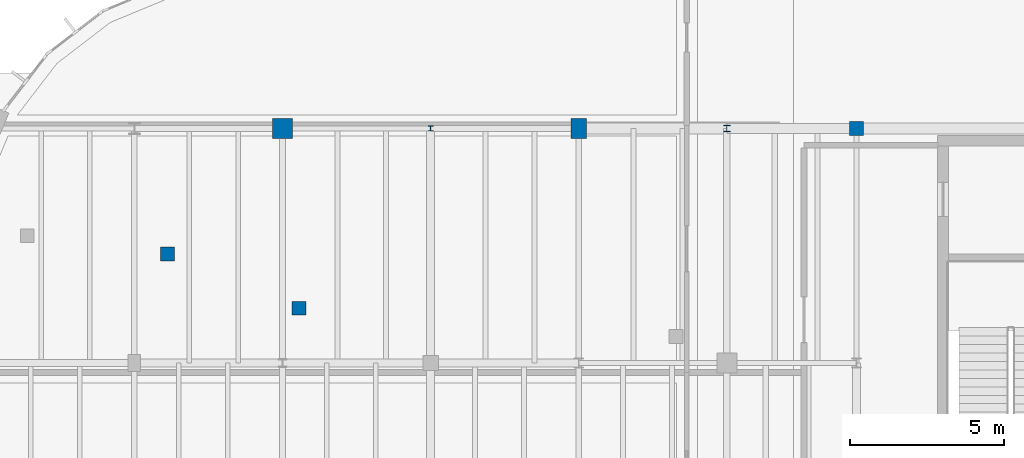
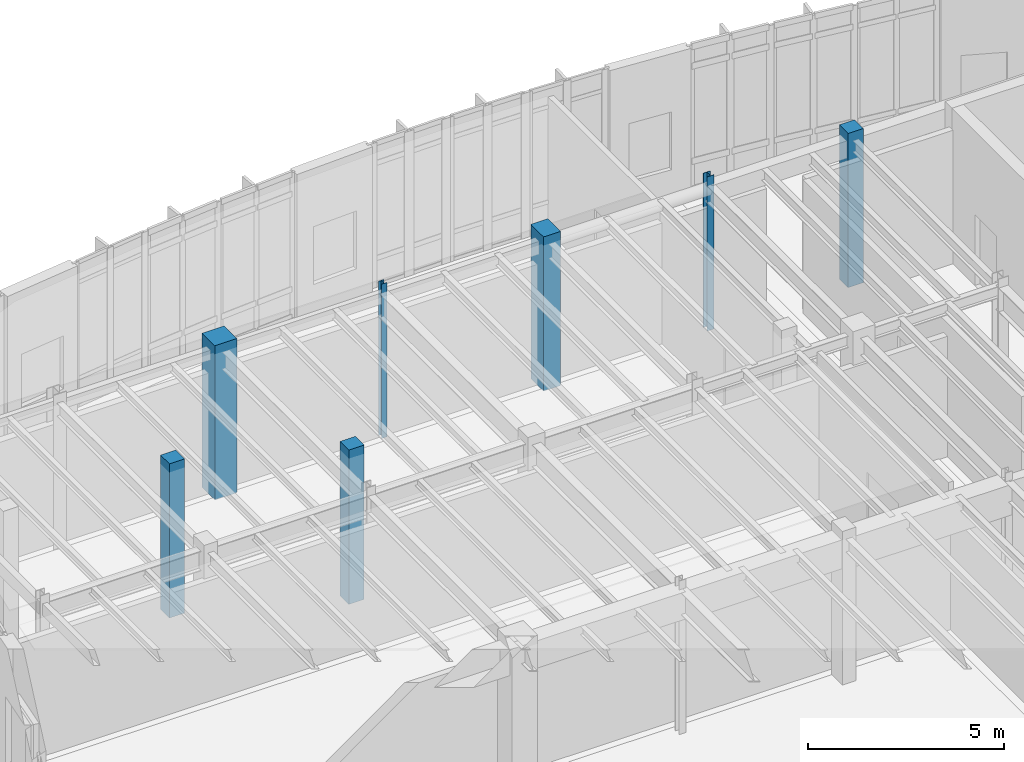
# One storey, part 19 of 120: 7 columns.
"""IFC4 building model written with IfcOpenShell, lengths in metres."""

from ifc_helpers import new_model, si_unit, direction, frame, origin, origin_2d, place, context, subcontext, project, spatial, rectangle, i_section, extrude, material, material_profile, profile_set, type_object, element, save


model = new_model("IFC4")

# Units and contexts
model_context = context("Model", 3, precision=1e-05, world=origin(), true_north=direction((0.0, 1.0)))
body_context = subcontext(model_context, "Body", "Model", "MODEL_VIEW")
ifc_project = project(units=[si_unit("LENGTHUNIT", "METRE"), si_unit("AREAUNIT", "SQUARE_METRE"), si_unit("VOLUMEUNIT", "CUBIC_METRE"), si_unit("PLANEANGLEUNIT", "RADIAN"), si_unit("MASSUNIT", "GRAM", prefix="KILO")], contexts=[model_context])

# Site, building, storey
site_placement = place(None, origin())
site = spatial("IfcSite", under=ifc_project, at=site_placement, CompositionType="ELEMENT")
building_placement = place(site_placement, origin())
building = spatial("IfcBuilding", under=site, at=building_placement, Name="Corveleigh Park Community Centre", CompositionType="ELEMENT")
storey_placement = place(building_placement, origin())
storey = spatial("IfcBuildingStorey", under=building, at=storey_placement, Name="L00", CompositionType="ELEMENT", Elevation=0.0)

# Columns
ifc_material_1 = material(Name="Concrete C40/50", Category="concrete")
ifc_material_profile_1 = material_profile(ifc_material_1, rectangle(XDim=0.449951171875, YDim=0.449951171875, at=origin_2d()), Name="RC-450x450", Category="concrete")
ifc_profile_set_1 = profile_set([ifc_material_profile_1], Name="Concrete C40/50")
column_type_1 = type_object("IfcColumnType", Name="COL-RC-450x450", PredefinedType="COLUMN", material=ifc_profile_set_1)
for number, where, z_axis, x_axis, name in (
    (1, (158.0, 104.199951171875, 0.0), (0.0, 0.0, 1.0), (1.0, 0.0, 0.0), "Column V4-X6Y6 L00"),
    (2, (135.674072265625, 100.135986328125, 0.0), (0.0, 0.0, 1.0), (1.0, 0.0, 0.0), "External deck support pier 133 L00"),
    (3, (139.94091796875, 98.3759765625, 0.0), (0.0, 0.0, 1.0), (1.0, 0.0, 0.0), "External deck support pier 136 L00"),
):
    element("IfcColumn", number, at=place(storey_placement, frame(where, z_axis=z_axis, x_axis=x_axis)), inside=storey, type_object=column_type_1, Name=name, PredefinedType="COLUMN", context=body_context, shape_type="SweptSolid", body=[
        extrude(rectangle(XDim=0.449951171875, YDim=0.449951171875, at=origin_2d()), origin(), (0.0, 0.0, 1.0), 4.800048828125),
    ])
ifc_material_profile_2 = material_profile(ifc_material_1, rectangle(XDim=0.5, YDim=0.64990234375, at=origin_2d()), Name="RC-500x650", Category="concrete")
ifc_profile_set_2 = profile_set([ifc_material_profile_2], Name="Concrete C40/50")
column_type_2 = type_object("IfcColumnType", Name="COL-RC-500x650", PredefinedType="COLUMN", material=ifc_profile_set_2)
column_1_placement = place(storey_placement, frame((149.0, 104.199951171875, 0.0), z_axis=(0.0, 0.0, 1.0), x_axis=(1.0, 0.0, 0.0)))
element("IfcColumn", 4, at=column_1_placement, inside=storey, type_object=column_type_2, Name="Column V4-X4Y6 L00", PredefinedType="COLUMN", context=body_context, shape_type="SweptSolid", body=[
    extrude(rectangle(XDim=0.5, YDim=0.64990234375, at=origin_2d()), origin(), (0.0, 0.0, 1.0), 4.800048828125),
])
ifc_material_profile_3 = material_profile(ifc_material_1, rectangle(XDim=0.64990234375, YDim=0.64990234375, at=origin_2d()), Name="RC-650x650", Category="concrete")
ifc_profile_set_3 = profile_set([ifc_material_profile_3], Name="Concrete C40/50")
column_type_3 = type_object("IfcColumnType", Name="COL-RC-650x650", PredefinedType="COLUMN", material=ifc_profile_set_3)
column_2_placement = place(storey_placement, frame((139.39990234375, 104.199951171875, 0.0), z_axis=(0.0, 0.0, 1.0), x_axis=(1.0, 0.0, 0.0)))
element("IfcColumn", 5, at=column_2_placement, inside=storey, type_object=column_type_3, Name="Column V4-X2Y6 L00", PredefinedType="COLUMN", context=body_context, shape_type="SweptSolid", body=[
    extrude(rectangle(XDim=0.64990234375, YDim=0.64990234375, at=origin_2d()), origin(), (0.0, 0.0, 1.0), 4.800048828125),
])
ifc_material_2 = material(Name="Steel S355", Category="steel")
ifc_material_profile_4 = material_profile(ifc_material_2, i_section(OverallWidth=0.154296875, OverallDepth=0.161865234375, WebThickness=0.008056640625, FlangeThickness=0.011474609375, at=origin_2d()), Name="UKC 152x152x37", Category="steel")
ifc_profile_set_4 = profile_set([ifc_material_profile_4], Name="Steel S355")
column_type_4 = type_object("IfcColumnType", Name="COL-STL-UKC152x37", PredefinedType="COLUMN", material=ifc_profile_set_4)
column_3_placement = place(storey_placement, frame((144.199951171875, 104.199951171875, 0.0), z_axis=(0.0, 0.0, 1.0), x_axis=(1.0, 0.0, 0.0)))
element("IfcColumn", 6, at=column_3_placement, inside=storey, type_object=column_type_4, Name="Column V4-X3Y6 L00", PredefinedType="COLUMN", context=body_context, shape_type="SweptSolid", body=[
    extrude(i_section(OverallWidth=0.154296875, OverallDepth=0.161865234375, WebThickness=0.008056640625, FlangeThickness=0.011474609375, at=origin_2d()), origin(), (0.0, 0.0, 1.0), 4.800048828125),
])
ifc_material_profile_5 = material_profile(ifc_material_2, i_section(OverallWidth=0.20361328125, OverallDepth=0.203125, WebThickness=0.007080078125, FlangeThickness=0.010986328125, at=origin_2d()), Name="UKC 203x203x46", Category="steel")
ifc_profile_set_5 = profile_set([ifc_material_profile_5], Name="Steel S355")
column_type_5 = type_object("IfcColumnType", Name="COL-STL-UKC203x46", PredefinedType="COLUMN", material=ifc_profile_set_5)
column_4_placement = place(storey_placement, frame((153.800048828125, 104.199951171875, 0.0), z_axis=(0.0, 0.0, 1.0), x_axis=(1.0, 0.0, 0.0)))
element("IfcColumn", 7, at=column_4_placement, inside=storey, type_object=column_type_5, Name="Column V4-X5Y6 L00", PredefinedType="COLUMN", context=body_context, shape_type="SweptSolid", body=[
    extrude(i_section(OverallWidth=0.20361328125, OverallDepth=0.203125, WebThickness=0.007080078125, FlangeThickness=0.010986328125, at=origin_2d()), origin(), (0.0, 0.0, 1.0), 4.800048828125),
])

save(model, "model.ifc")
